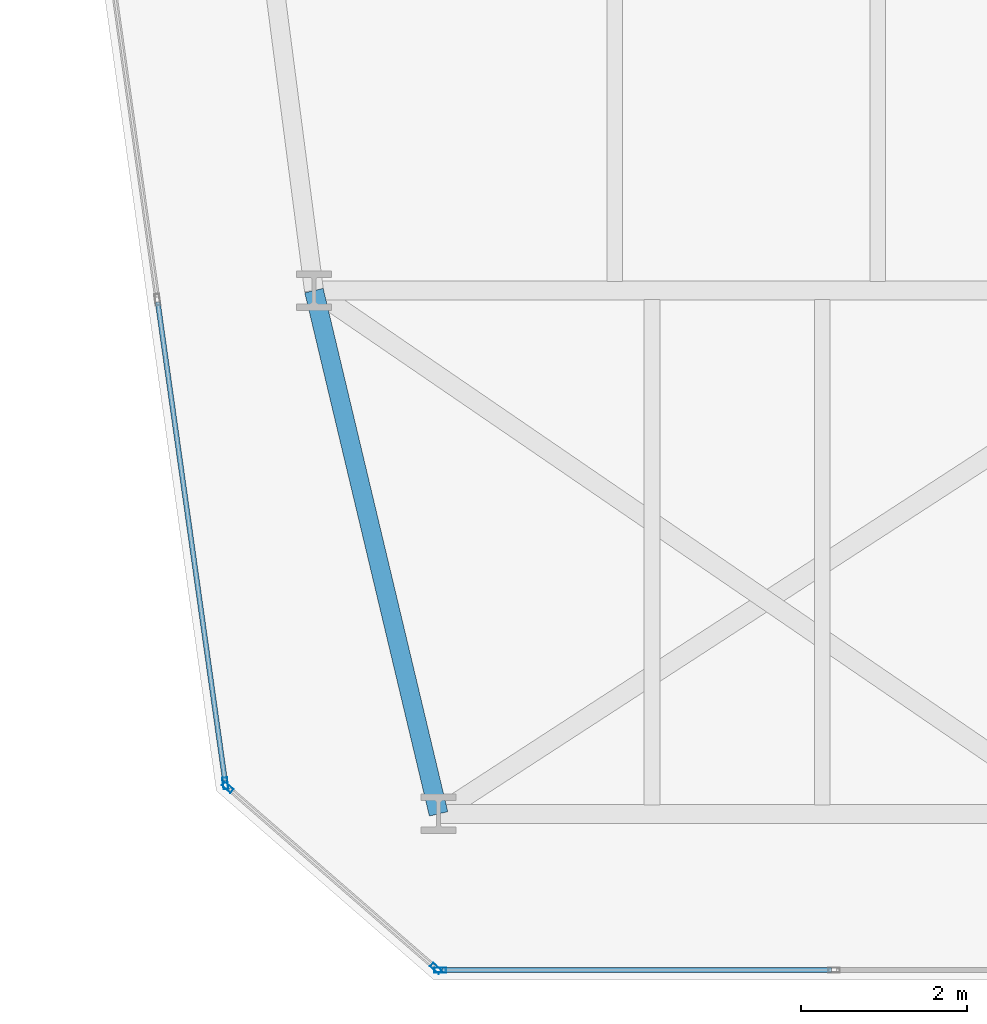
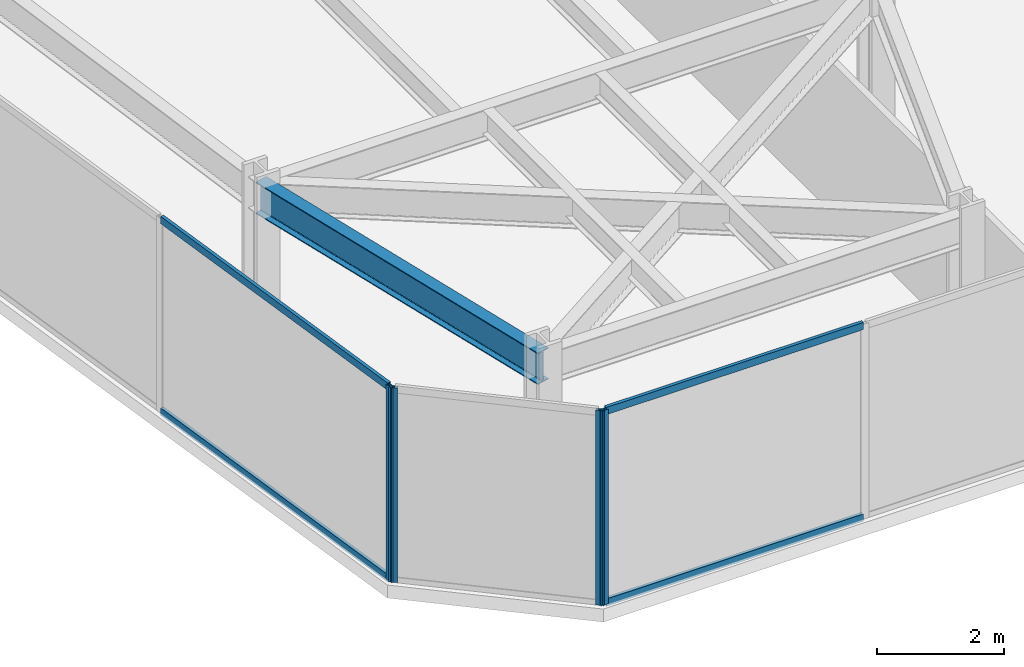
# One storey, part 2 of 26: 8 members, 1 beam, 3 elements without a shape of their own.
"""IFC4 building model written with IfcOpenShell, lengths in metres."""

from ifc_helpers import new_model, si_unit, direction, frame, origin, origin_2d, place, context, subcontext, project, spatial, hollow_rectangle, i_section, extrude, material, layer, layer_set, material_profile, profile_set, type_object, element, aggregate, save


model = new_model("IFC4")

# Units and contexts
model_context = context("Model", 3, precision=1e-05, world=origin(), true_north=direction((0.0, 1.0)))
body_context = subcontext(model_context, "Body", "Model", "MODEL_VIEW")
ifc_project = project(units=[si_unit("LENGTHUNIT", "METRE"), si_unit("AREAUNIT", "SQUARE_METRE"), si_unit("VOLUMEUNIT", "CUBIC_METRE"), si_unit("PLANEANGLEUNIT", "RADIAN"), si_unit("MASSUNIT", "GRAM", prefix="KILO")], contexts=[model_context])

# Site, building, storey
site_placement = place(None, origin())
site = spatial("IfcSite", under=ifc_project, at=site_placement, CompositionType="ELEMENT")
building_placement = place(site_placement, origin())
building = spatial("IfcBuilding", under=site, at=building_placement, Name="Kravanh Interchange Tower", CompositionType="ELEMENT")
storey_placement = place(building_placement, frame((0.0, 0.0, 124.0)))
storey = spatial("IfcBuildingStorey", under=building, at=storey_placement, Name="L29", CompositionType="ELEMENT", Elevation=124.0)

# Curtain wall, member
ifc_material_1 = material(Name="Anodised Bronze Aluminium", Category="aluminium")
ifc_layer = layer(ifc_material_1, 0.179931640625)
ifc_layer_set = layer_set([ifc_layer], Name="Unitised Curtain Wall System CW-Z2 Mid Office")
curtain_wall_type = type_object("IfcCurtainWallType", Name="Unitised Curtain Wall System CW-Z2 Mid Office", PredefinedType="NOTDEFINED", material=ifc_layer_set)
curtain_wall_1_placement = place(storey_placement, origin())
curtain_wall_1 = element("IfcCurtainWall", 1, at=curtain_wall_1_placement, inside=storey, type_object=curtain_wall_type, Name="L29 Unitised Curtain Wall CW-L29-01", PredefinedType="NOTDEFINED")
ifc_material_2 = material(Name="Anodised Bronze Aluminium", Category="aluminium")
ifc_material_profile_1 = material_profile(ifc_material_2, hollow_rectangle(XDim=0.06005859375, YDim=0.139892578125, WallThickness=0.00390625, at=origin_2d()), Name="ALU60X140X4")
ifc_profile_set_1 = profile_set([ifc_material_profile_1], Name="Anodised Bronze Aluminium")
member_type_1 = type_object("IfcMemberType", Name="Curtain Wall Mullion ALU60X140X4 Bronze", PredefinedType="MULLION", material=ifc_profile_set_1)
member_1_placement = place(storey_placement, frame((14.93310546875, 8.568359375, 0.0), z_axis=(0.0, 0.0, 1.0), x_axis=(-0.990268103846, -0.13917285118, 0.0)))
member_1 = element("IfcMember", 2, at=member_1_placement, type_object=member_type_1, Name="CW-Z2 mullion 1", PredefinedType="MULLION", context=body_context, shape_type="SweptSolid", body=[
    extrude(hollow_rectangle(XDim=0.06005859375, YDim=0.139892578125, WallThickness=0.00390625, at=origin_2d()), origin(), (0.0, 0.0, 1.0), 3.75),
])

curtain_wall_2_placement = place(storey_placement, origin())
curtain_wall_2 = element("IfcCurtainWall", 3, at=curtain_wall_2_placement, inside=storey, type_object=curtain_wall_type, Name="L29 Unitised Curtain Wall CW-L29-06", PredefinedType="NOTDEFINED")
member_2_placement = place(storey_placement, frame((17.519775390625, 6.320068359375, 0.0), z_axis=(0.0, 0.0, 1.0), x_axis=(0.0, -1.0, 0.0)))
member_2 = element("IfcMember", 4, at=member_2_placement, type_object=member_type_1, Name="CW-Z2 mullion 3", PredefinedType="MULLION", context=body_context, shape_type="SweptSolid", body=[
    extrude(hollow_rectangle(XDim=0.06005859375, YDim=0.139892578125, WallThickness=0.00390625, at=origin_2d()), origin(), (0.0, 0.0, 1.0), 3.75),
])

# Curtain wall, members
curtain_wall_3_placement = place(storey_placement, origin())
curtain_wall_3 = element("IfcCurtainWall", 5, at=curtain_wall_3_placement, inside=storey, type_object=curtain_wall_type, Name="L29 Unitised Curtain Wall CW-L29-07", PredefinedType="NOTDEFINED")
member_3_placement = place(storey_placement, frame((17.467041015625, 6.339599609375, 0.0), z_axis=(0.0, 0.0, 1.0), x_axis=(-0.656047665617, -0.754719458103, 0.0)))
member_3 = element("IfcMember", 6, at=member_3_placement, type_object=member_type_1, Name="CW-Z2 mullion 1", PredefinedType="MULLION", context=body_context, shape_type="SweptSolid", body=[
    extrude(hollow_rectangle(XDim=0.06005859375, YDim=0.139892578125, WallThickness=0.00390625, at=origin_2d()), origin(), (0.0, 0.0, 1.0), 3.75),
])
member_4_placement = place(storey_placement, frame((14.9599609375, 8.51904296875, 0.0), z_axis=(0.0, 0.0, 1.0), x_axis=(-0.656047665617, -0.754719458103, 0.0)))
member_4 = element("IfcMember", 7, at=member_4_placement, type_object=member_type_1, Name="CW-Z2 mullion 2", PredefinedType="MULLION", context=body_context, shape_type="SweptSolid", body=[
    extrude(hollow_rectangle(XDim=0.06005859375, YDim=0.139892578125, WallThickness=0.00390625, at=origin_2d()), origin(), (0.0, 0.0, 1.0), 3.75),
])
aggregate(curtain_wall_3, [member_3, member_4])

# Member
ifc_material_3 = material(Name="Anodised Bronze Aluminium", Category="aluminium")
ifc_material_profile_2 = material_profile(ifc_material_3, hollow_rectangle(XDim=0.06005859375, YDim=0.139892578125, WallThickness=0.00390625, at=origin_2d()), Name="ALU60X140X4")
ifc_profile_set_2 = profile_set([ifc_material_profile_2], Name="Anodised Bronze Aluminium")
member_type_2 = type_object("IfcMemberType", Name="Curtain Wall Transom ALU60X140X4 Bronze", PredefinedType="USERDEFINED", material=ifc_profile_set_2)
member_5_placement = place(storey_placement, frame((14.928955078125, 8.59814453125, 0.030029296875), z_axis=(-0.139148132783, 0.990271577469, 0.0), x_axis=(-0.990271577469, -0.139148132783, 0.0)))
member_5 = element("IfcMember", 8, at=member_5_placement, type_object=member_type_2, Name="CW-Z2 transom 1.1", ObjectType="TRANSOM", PredefinedType="USERDEFINED", context=body_context, shape_type="SweptSolid", body=[
    extrude(hollow_rectangle(XDim=0.06005859375, YDim=0.139892578125, WallThickness=0.00390625, at=origin_2d()), origin(), (0.0, 0.0, 1.0), 5.81982421875),
])

member_6_placement = place(storey_placement, frame((14.928955078125, 8.59814453125, 3.719970703125), z_axis=(-0.139148132783, 0.990271577469, 0.0), x_axis=(-0.990271577469, -0.139148132783, 0.0)))
member_6 = element("IfcMember", 9, at=member_6_placement, type_object=member_type_2, Name="CW-Z2 transom 1.2", ObjectType="TRANSOM", PredefinedType="USERDEFINED", context=body_context, shape_type="SweptSolid", body=[
    extrude(hollow_rectangle(XDim=0.06005859375, YDim=0.139892578125, WallThickness=0.00390625, at=origin_2d()), origin(), (0.0, 0.0, 1.0), 5.81982421875),
])

aggregate(curtain_wall_1, [member_1, member_5, member_6])

member_7_placement = place(storey_placement, frame((22.232177734375, 6.320068359375, 0.030029296875), z_axis=(-1.0, 0.0, 0.0), x_axis=(0.0, -1.0, 0.0)))
member_7 = element("IfcMember", 10, at=member_7_placement, type_object=member_type_2, Name="CW-Z2 transom 2.1", ObjectType="TRANSOM", PredefinedType="USERDEFINED", context=body_context, shape_type="SweptSolid", body=[
    extrude(hollow_rectangle(XDim=0.06005859375, YDim=0.139892578125, WallThickness=0.00390625, at=origin_2d()), origin(), (0.0, 0.0, 1.0), 4.682373046875),
])

member_8_placement = place(storey_placement, frame((22.232177734375, 6.320068359375, 3.719970703125), z_axis=(-1.0, 0.0, 0.0), x_axis=(0.0, -1.0, 0.0)))
member_8 = element("IfcMember", 11, at=member_8_placement, type_object=member_type_2, Name="CW-Z2 transom 2.2", ObjectType="TRANSOM", PredefinedType="USERDEFINED", context=body_context, shape_type="SweptSolid", body=[
    extrude(hollow_rectangle(XDim=0.06005859375, YDim=0.139892578125, WallThickness=0.00390625, at=origin_2d()), origin(), (0.0, 0.0, 1.0), 4.682373046875),
])

aggregate(curtain_wall_2, [member_2, member_7, member_8])

# Beam
ifc_material_4 = material(Name="Structural Steel S355", Category="steel")
ifc_material_profile_3 = material_profile(ifc_material_4, i_section(OverallWidth=0.22802734375, OverallDepth=0.60791015625, WebThickness=0.01123046875, FlangeThickness=0.017333984375, FilletRadius=0.02197265625, at=origin_2d()), Name="W24X76")
ifc_profile_set_3 = profile_set([ifc_material_profile_3], Name="Structural Steel S355")
beam_type = type_object("IfcBeamType", Name="Floor Spandrel W24X76 Structural Steel S355", PredefinedType="SPANDREL", material=ifc_profile_set_3)
beam_placement = place(storey_placement, frame((17.5, 8.199951171875, 3.446044921875), z_axis=(-0.231618828452, 0.972806619173, 0.0), x_axis=(-0.972806619173, -0.231618828452, 0.0)))
element("IfcBeam", 12, at=beam_placement, inside=storey, type_object=beam_type, Name="L29 Perimeter Spandrel 34", PredefinedType="SPANDREL", context=body_context, shape_type="SweptSolid", body=[
    extrude(i_section(OverallWidth=0.22802734375, OverallDepth=0.60791015625, WebThickness=0.01123046875, FlangeThickness=0.017333984375, FilletRadius=0.02197265625, at=origin_2d()), origin(), (0.0, 0.0, 1.0), 6.47607421875),
])

save(model, "model.ifc")
